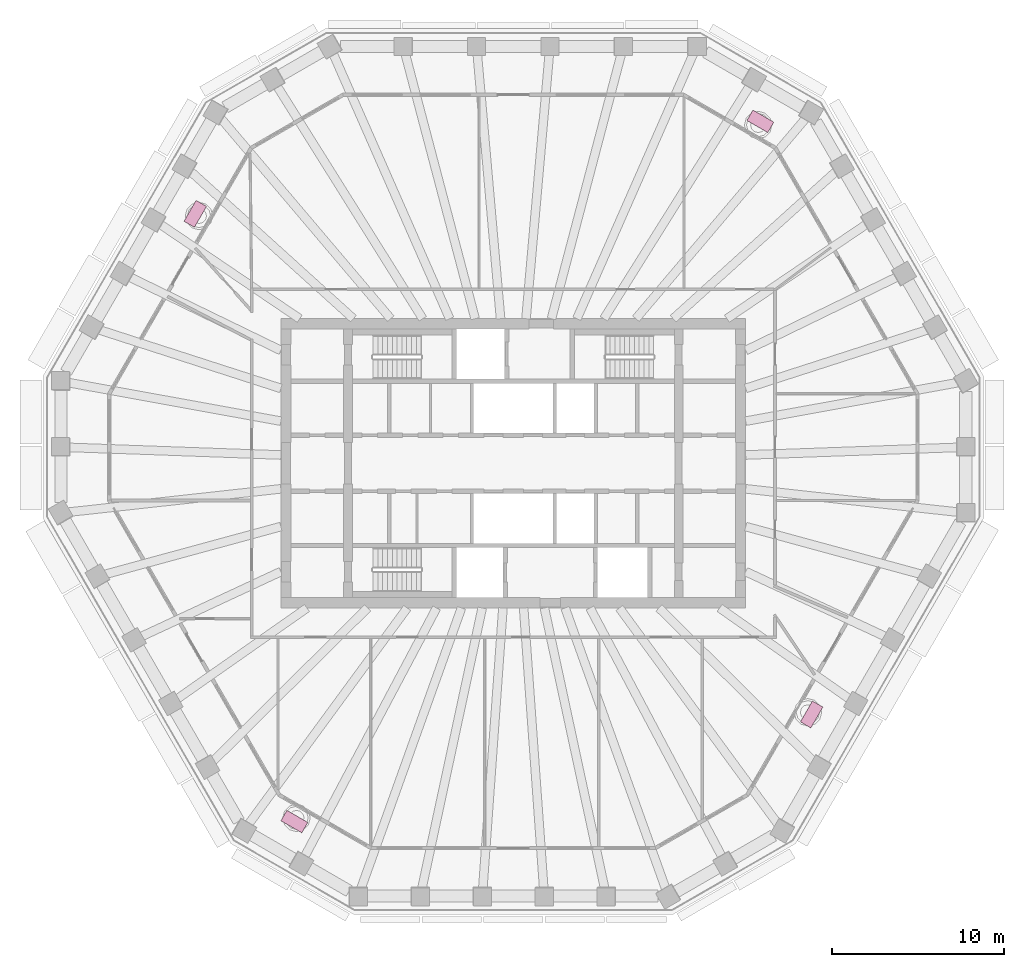
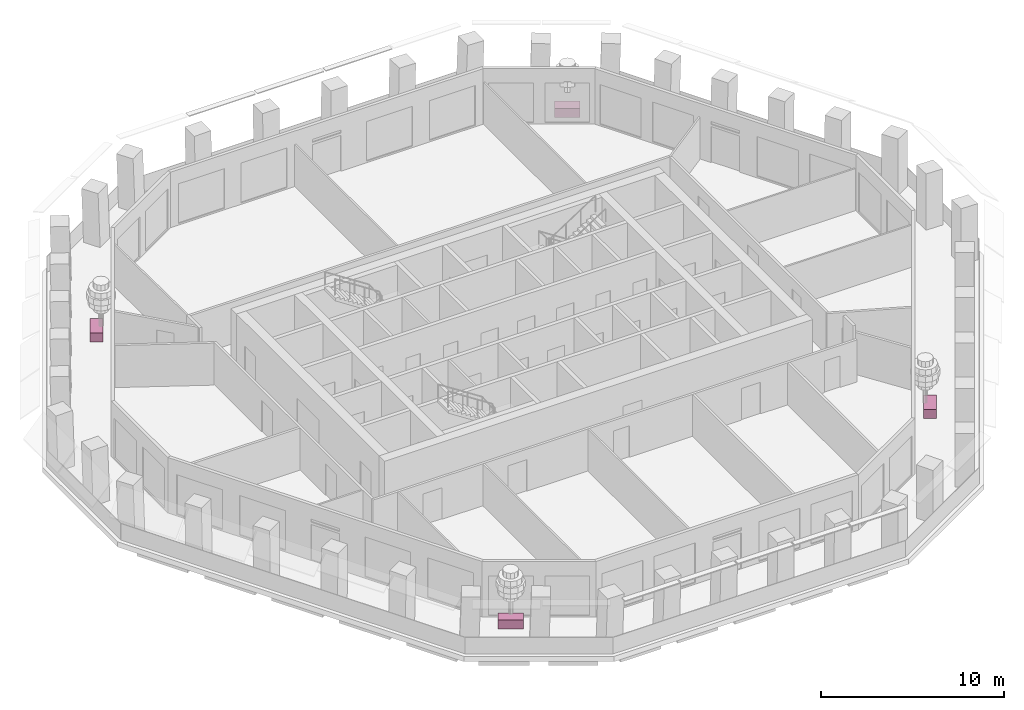
# One storey, part 11 of 12: 4 furniture elements.
"""IFC4 building model written with IfcOpenShell, lengths in metres."""

from ifc_helpers import new_model, si_unit, direction, frame, origin, origin_2d, place, context, subcontext, project, spatial, rectangle, extrude, material, type_object, element, save


model = new_model("IFC4")

# Units and contexts
model_context = context("Model", 3, precision=1e-05, world=origin(), true_north=direction((0.0, 1.0)))
body_context = subcontext(model_context, "Body", "Model", "MODEL_VIEW")
ifc_project = project(units=[si_unit("LENGTHUNIT", "METRE"), si_unit("AREAUNIT", "SQUARE_METRE"), si_unit("VOLUMEUNIT", "CUBIC_METRE"), si_unit("PLANEANGLEUNIT", "RADIAN"), si_unit("MASSUNIT", "GRAM", prefix="KILO")], contexts=[model_context])

# Site, building, storey
site_placement = place(None, origin())
site = spatial("IfcSite", under=ifc_project, at=site_placement, CompositionType="ELEMENT")
building_placement = place(site_placement, origin())
building = spatial("IfcBuilding", under=site, at=building_placement, Name="Frailejon Research Tower", CompositionType="ELEMENT")
storey_placement = place(building_placement, frame((0.0, 0.0, 241.39990234375)))
storey = spatial("IfcBuildingStorey", under=building, at=storey_placement, Name="L52", CompositionType="ELEMENT", Elevation=241.39990234375)

# Furniture
ifc_material = material(Name="Precast concrete C30/37 planter, terracotta", Category="masonry")
furniture_type = type_object("IfcFurnitureType", Name="Loggia planter 1400x700", AssemblyPlace="NOTDEFINED", PredefinedType="USERDEFINED", material=ifc_material)
for number, where, z_axis, x_axis, name in (
    (1, (14.349609375, 19.865478515625, 0.0), (0.0, 0.0, 1.0), (-0.866025403784, 0.5, 0.0), "Planter L52"),
    (2, (-18.4716796875, 14.491455078125, 0.0), (0.0, 0.0, 1.0), (-0.5, -0.866025403784, 0.0), "Planter L52"),
    (3, (-12.716552734375, -20.80810546875, 0.0), (0.0, 0.0, 1.0), (0.866025403784, -0.5, 0.0), "Planter L52"),
    (4, (17.32861328125, -14.585693359375, 0.0), (0.0, 0.0, 1.0), (0.5, 0.866025403784, 0.0), "Planter L52"),
):
    element("IfcFurniture", number, at=place(storey_placement, frame(where, z_axis=z_axis, x_axis=x_axis)), inside=storey, type_object=furniture_type, Name=name, ObjectType="PLANTER", PredefinedType="USERDEFINED", context=body_context, shape_type="SweptSolid", body=[
        extrude(rectangle(XDim=1.39990234375, YDim=0.699951171875, at=origin_2d()), origin(), (0.0, 0.0, 1.0), 0.60009765625),
    ])

save(model, "model.ifc")
